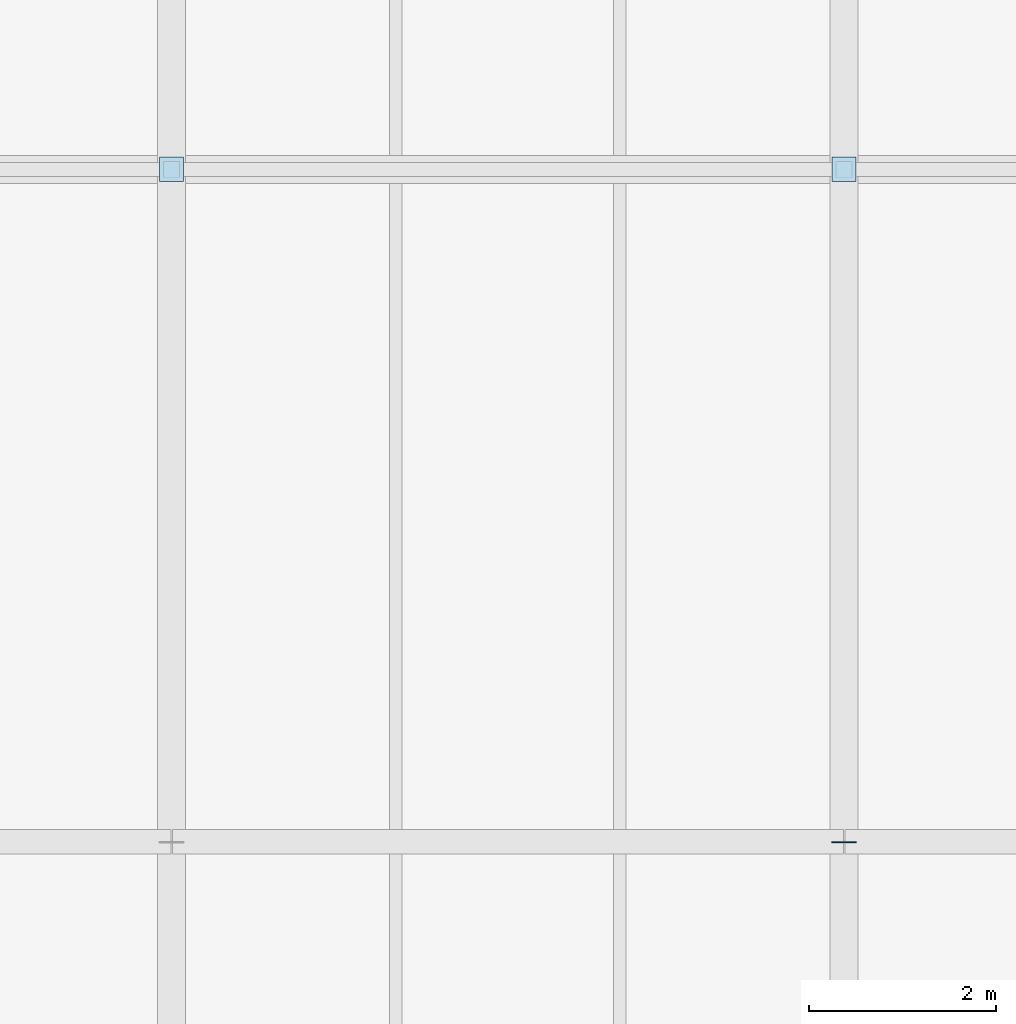
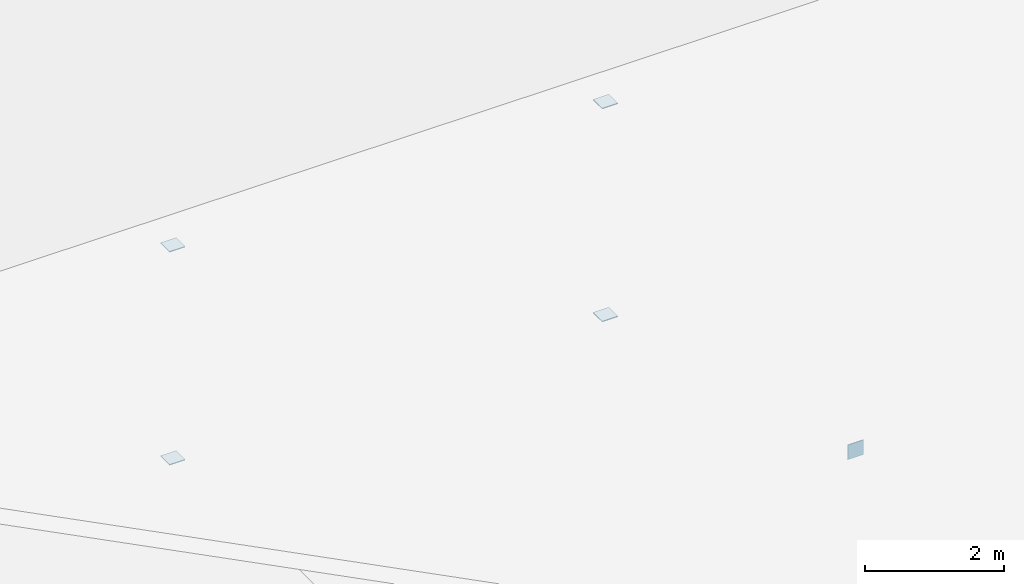
# One storey, part 40 of 66: 5 plates.
"""IFC4 building model written with IfcOpenShell, lengths in metres."""

from ifc_helpers import new_model, si_unit, direction, frame, origin, origin_2d, place, context, subcontext, project, spatial, rectangle, extrude, material, layer, layer_set, type_object, element, save


model = new_model("IFC4")

# Units and contexts
model_context = context("Model", 3, precision=1e-05, world=origin(), true_north=direction((0.0, 1.0)))
body_context = subcontext(model_context, "Body", "Model", "MODEL_VIEW")
ifc_project = project(units=[si_unit("LENGTHUNIT", "METRE"), si_unit("AREAUNIT", "SQUARE_METRE"), si_unit("VOLUMEUNIT", "CUBIC_METRE"), si_unit("PLANEANGLEUNIT", "RADIAN"), si_unit("MASSUNIT", "GRAM", prefix="KILO")], contexts=[model_context])

# Site, building, storey
site_placement = place(None, origin())
site = spatial("IfcSite", under=ifc_project, at=site_placement, CompositionType="ELEMENT")
building_placement = place(site_placement, origin())
building = spatial("IfcBuilding", under=site, at=building_placement, Name="Narikvali Park Central Library", CompositionType="ELEMENT")
storey_placement = place(building_placement, frame((0.0, 0.0, 18.60009765625)))
storey = spatial("IfcBuildingStorey", under=building, at=storey_placement, Name="L04", CompositionType="ELEMENT", Elevation=18.60009765625)

# Plates
ifc_material = material(Name="Steel S355", Category="steel")
ifc_layer = layer(ifc_material, 0.013916015625, Name="Steel S355")
ifc_layer_set = layer_set([ifc_layer], Name="Steel S355")
plate_type = type_object("IfcPlateType", Name="Steel Hollow End Cap Plate 14", PredefinedType="SHEET", material=ifc_layer_set)
for number, where, z_axis, x_axis, name in (
    (1, (144.0, 14.39990234375, -0.2509765625), (0.0, 0.0, 1.0), (1.0, 0.0, 0.0), "Hollow Section Steel End Cap V6-KPCAP-B-3"),
    (2, (144.0, 14.39990234375, 3.4970703125), (0.0, 0.0, 1.0), (1.0, 0.0, 0.0), "Hollow Section Steel End Cap V6-KPCAP-T-3"),
    (3, (151.199951171875, 14.39990234375, -0.2509765625), (0.0, 0.0, 1.0), (1.0, 0.0, 0.0), "Hollow Section Steel End Cap V6-KPCAP-B-4"),
    (4, (151.199951171875, 14.39990234375, 3.4970703125), (0.0, 0.0, 1.0), (1.0, 0.0, 0.0), "Hollow Section Steel End Cap V6-KPCAP-T-4"),
):
    element("IfcPlate", number, at=place(storey_placement, frame(where, z_axis=z_axis, x_axis=x_axis)), inside=storey, type_object=plate_type, Name=name, PredefinedType="SHEET", context=body_context, shape_type="SweptSolid", body=[
        extrude(rectangle(XDim=0.260009765625, YDim=0.260009765625, at=origin_2d()), origin(), (0.0, 0.0, 1.0), 0.013916015625),
    ])
plate_placement = place(storey_placement, frame((151.199951171875, 7.196044921875, 1.6201171875), z_axis=(0.0, 0.0, 1.0), x_axis=(-1.0, 0.0, 0.0)))
element("IfcPlate", 5, at=plate_placement, inside=storey, type_object=plate_type, Name="Hollow Section Steel End Cap V6-CTCAP-S-4", PredefinedType="SHEET", context=body_context, shape_type="SweptSolid", body=[
    extrude(rectangle(XDim=0.260009765625, YDim=0.013916015625, at=origin_2d()), origin(), (0.0, 0.0, 1.0), 0.260009765625),
])

save(model, "model.ifc")
